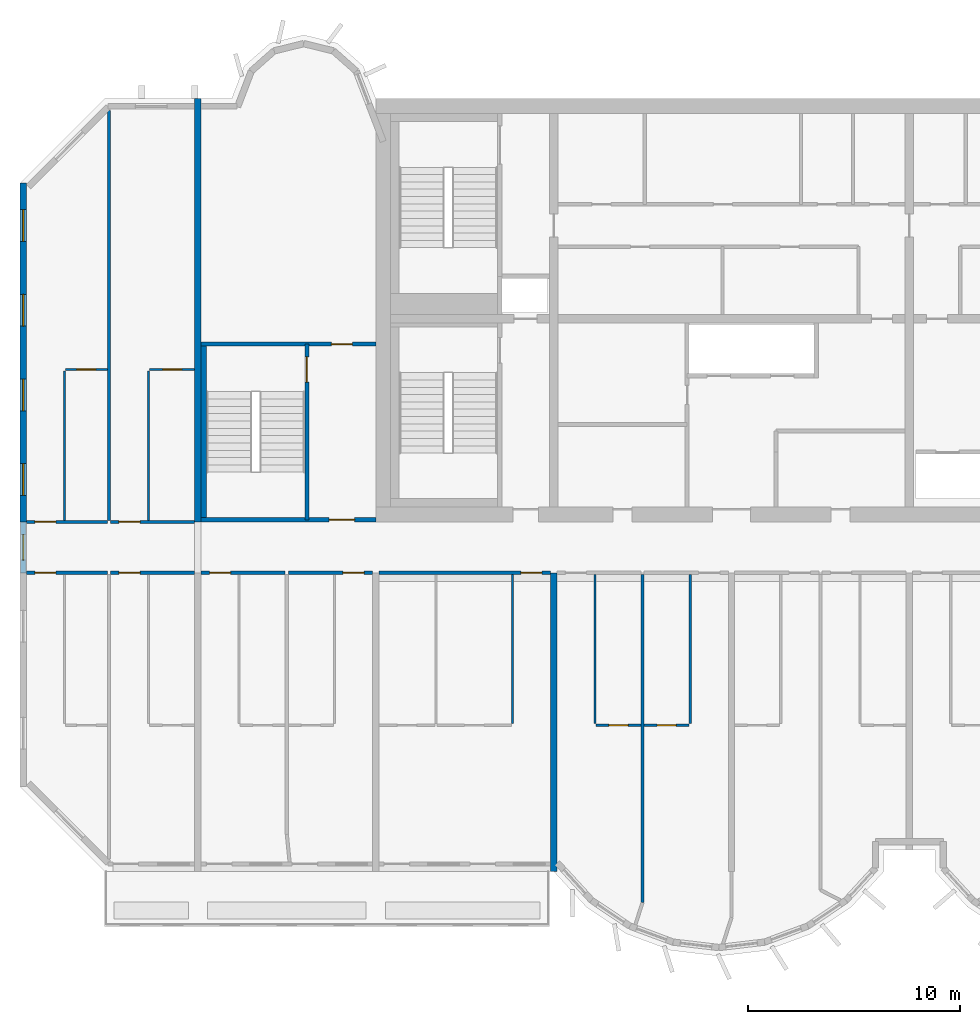
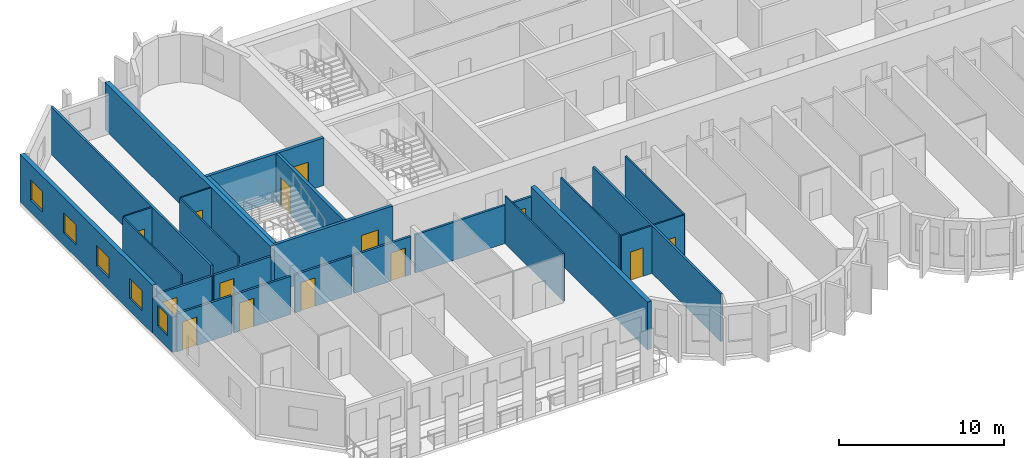
# One storey, part 3 of 13: 26 walls, 14 doors, 5 windows, 19 openings.
"""IFC4 building model written with IfcOpenShell, lengths in metres."""

import ifcopenshell
import ifcopenshell.guid

model = None  # the IFC model being written
_history = None  # IfcOwnerHistory: only IFC2X3 demands one
_inside = {}  # id of a spatial element -> (the spatial element, [elements in it])
_under = {}  # id of a project, library or spatial element -> (it, [spatial elements below it])
_declared = {}  # id of a project -> (the project, [libraries it declares])
_typed = {}  # id of a type object -> (the type object, [elements of that type])
_made_of = {}  # id of a material, layer set ... -> (it, [elements and type objects made of it])


def new_model(schema):
    """Start an empty IFC model of exactly this schema.

    Asked for "IFC4X3", IfcOpenShell would pick the latest addendum, in which some entities
    have other attributes; the version numbers below select the first issue.
    IFC2X3 requires an IfcOwnerHistory on every rooted entity: one is made here for all.
    """
    global model, _history
    if schema == "IFC4X3":
        model = ifcopenshell.file(schema_version=(4, 3, 0, 0))
    else:
        model = ifcopenshell.file(schema=schema)
    _inside.clear()
    _under.clear()
    _declared.clear()
    _typed.clear()
    _made_of.clear()
    _history = None
    if model.schema == "IFC2X3":
        org = make("IfcOrganization", Name="unknown")
        user = make(
            "IfcPersonAndOrganization",
            ThePerson=make("IfcPerson", FamilyName="unknown"),
            TheOrganization=org,
        )
        app = make(
            "IfcApplication",
            ApplicationDeveloper=org,
            Version="unknown",
            ApplicationFullName="unknown",
            ApplicationIdentifier="unknown",
        )
        _history = make(
            "IfcOwnerHistory",
            OwningUser=user,
            OwningApplication=app,
            ChangeAction="ADDED",
            CreationDate=0,
        )
    return model


def make(cls, **values):
    """One entity of the class cls with the attributes given. An attribute that is None is left unset."""
    return model.create_entity(
        cls, **{name: value for name, value in values.items() if value is not None}
    )


def rooted(cls, **values):
    """An entity with a GlobalId (a new one), such as an element, a storey or a relation."""
    return make(cls, GlobalId=ifcopenshell.guid.new(), OwnerHistory=_history, **values)


def si_unit(unit_type, name, prefix=None):
    """IfcSIUnit, for example si_unit("LENGTHUNIT", "METRE", prefix="MILLI")."""
    return make("IfcSIUnit", UnitType=unit_type, Prefix=prefix, Name=name)


def assignment(units):
    """IfcUnitAssignment: the units of a project."""
    return None if units is None else make("IfcUnitAssignment", Units=units)


def point(xyz):
    """IfcCartesianPoint."""
    return None if xyz is None else make("IfcCartesianPoint", Coordinates=xyz)


def direction(xyz):
    """IfcDirection."""
    return None if xyz is None else make("IfcDirection", DirectionRatios=xyz)


def frame(location, z_axis=None, x_axis=None):
    """IfcAxis2Placement3D, a coordinate frame: its origin and axes. An axis left out is left unset."""
    return make(
        "IfcAxis2Placement3D",
        Location=point(location),
        Axis=direction(z_axis),
        RefDirection=direction(x_axis),
    )


def frame_2d(location, x_axis=None):
    """IfcAxis2Placement2D, a coordinate frame in the plane: its origin and x axis."""
    return make(
        "IfcAxis2Placement2D", Location=point(location), RefDirection=direction(x_axis)
    )


def origin():
    """The frame at (0, 0, 0) with its axes left unset."""
    return frame((0.0, 0.0, 0.0))


def place(relative_to, where):
    """IfcLocalPlacement: puts the frame where relative to a parent placement (None: the world)."""
    return make(
        "IfcLocalPlacement", PlacementRelTo=relative_to, RelativePlacement=where
    )


def context(
    kind, dimensions, precision=None, world=None, true_north=None, identifier=None
):
    """IfcGeometricRepresentationContext, for example the 3D "Model" context."""
    return make(
        "IfcGeometricRepresentationContext",
        ContextIdentifier=identifier,
        ContextType=kind,
        CoordinateSpaceDimension=dimensions,
        Precision=precision,
        WorldCoordinateSystem=world,
        TrueNorth=true_north,
    )


def subcontext(parent, identifier, kind, view, scale=None):
    """IfcGeometricRepresentationSubContext, for example "Body" below "Model"."""
    return make(
        "IfcGeometricRepresentationSubContext",
        ContextIdentifier=identifier,
        ContextType=kind,
        ParentContext=parent,
        TargetScale=scale,
        TargetView=view,
    )


def project(units=None, contexts=None):
    """IfcProject with its units and contexts."""
    return rooted(
        "IfcProject",
        Name="project",
        RepresentationContexts=contexts,
        UnitsInContext=assignment(units),
    )


def spatial(cls, under=None, at=None, **own):
    """A site, building, storey or space (cls), placed at a placement, below another one or the project."""
    s = rooted(cls, ObjectPlacement=at, **own)
    if under is not None:
        _under.setdefault(under.id(), (under, []))[1].append(s)
    return s


def profile(cls, at=None, kind="AREA", **sizes):
    """A parametric profile (cls). Its sizes go by their IFC names, for example OverallWidth=200.0."""
    return make(cls, ProfileType=kind, Position=at, **sizes)


def rectangle(**sizes):
    """IfcRectangleProfileDef."""
    return profile("IfcRectangleProfileDef", **sizes)


def extrude(swept, where, along, depth):
    """IfcExtrudedAreaSolid: the profile swept, set in the frame where, extruded along a direction by depth."""
    return make(
        "IfcExtrudedAreaSolid",
        SweptArea=swept,
        Position=where,
        ExtrudedDirection=direction(along),
        Depth=depth,
    )


def shape(context_of_items, identifier, shape_type, items):
    """IfcShapeRepresentation: the items that make up one representation, for example the "Body"."""
    return make(
        "IfcShapeRepresentation",
        ContextOfItems=context_of_items,
        RepresentationIdentifier=identifier,
        RepresentationType=shape_type,
        Items=items,
    )


def source(mapping_origin, context_of_items, identifier, shape_type, items):
    """IfcRepresentationMap: a shape defined once, which mapped items show again and again."""
    return make(
        "IfcRepresentationMap",
        MappingOrigin=mapping_origin,
        MappedRepresentation=shape(context_of_items, identifier, shape_type, items),
    )


def transform(
    local_origin,
    x_axis=None,
    y_axis=None,
    z_axis=None,
    scale=None,
    scale2=None,
    scale3=None,
    uniform=True,
):
    """IfcCartesianTransformationOperator3D, or its non-uniform kind. x_axis, y_axis, z_axis: its Axis1, 2, 3."""
    if uniform:
        return make(
            "IfcCartesianTransformationOperator3D",
            Axis1=direction(x_axis),
            Axis2=direction(y_axis),
            LocalOrigin=point(local_origin),
            Scale=scale,
            Axis3=direction(z_axis),
        )
    return make(
        "IfcCartesianTransformationOperator3DnonUniform",
        Axis1=direction(x_axis),
        Axis2=direction(y_axis),
        LocalOrigin=point(local_origin),
        Scale=scale,
        Axis3=direction(z_axis),
        Scale2=scale2,
        Scale3=scale3,
    )


def mapped(mapping_source, mapping_target):
    """IfcMappedItem: shows the shape of a source again, moved by a transform."""
    return make(
        "IfcMappedItem", MappingSource=mapping_source, MappingTarget=mapping_target
    )


def material(Name=None, Category=None):
    """IfcMaterial."""
    return make("IfcMaterial", Name=Name, Category=Category)


def layer(
    of_material, thickness, ventilated=None, Name=None, Category=None, Priority=None
):
    """IfcMaterialLayer: one layer of a wall or slab, of a material (None: an air gap)."""
    return make(
        "IfcMaterialLayer",
        Material=of_material,
        LayerThickness=thickness,
        IsVentilated=ventilated,
        Name=Name,
        Category=Category,
        Priority=Priority,
    )


def layer_set(layers, Name=None):
    """IfcMaterialLayerSet."""
    return make("IfcMaterialLayerSet", MaterialLayers=layers, LayerSetName=Name)


def made_of(thing, what):
    """Note that an element or type object is made of a material, layer set ...; save() writes the relation."""
    if what is not None:
        _made_of.setdefault(what.id(), (what, []))[1].append(thing)
    return thing


def type_object(cls, material=None, **own):
    """A type object (cls), such as IfcWallType, which elements share."""
    return made_of(rooted(cls, **own), material)


def element(
    cls,
    number,
    at=None,
    inside=None,
    cuts=None,
    type_object=None,
    material=None,
    context=None,
    identifier="Body",
    shape_type=None,
    held_by="IfcProductDefinitionShape",
    body=None,
    shapes=None,
    **own,
):
    """One element of the class cls, such as IfcWall. Its Tag is "e" and its number.

    at: its placement. inside: the storey or other place that contains it. cuts: it is an
    opening in that element (IfcRelVoidsElement). A single representation is given by context,
    identifier, shape_type and body (its items); several are given by shapes. held_by: the class
    of the entity that holds the representations. save() writes the other relations.
    """
    e = rooted(cls, Tag="e%d" % number, ObjectPlacement=at, **own)
    if body is not None:
        shapes = [shape(context, identifier, shape_type, body)]
    if shapes is not None:
        e.Representation = make(held_by, Representations=shapes)
    if inside is not None:
        _inside.setdefault(inside.id(), (inside, []))[1].append(e)
    if cuts is not None:
        rooted(
            "IfcRelVoidsElement", RelatingBuildingElement=cuts, RelatedOpeningElement=e
        )
    if type_object is not None:
        _typed.setdefault(type_object.id(), (type_object, []))[1].append(e)
    return made_of(e, material)


def fill(opening, filler):
    """IfcRelFillsElement: the door or window that sits in an opening."""
    return rooted(
        "IfcRelFillsElement",
        RelatingOpeningElement=opening,
        RelatedBuildingElement=filler,
    )


def aggregate(whole, parts):
    """IfcRelAggregates: a whole, such as a stair, and the parts it consists of."""
    return rooted("IfcRelAggregates", RelatingObject=whole, RelatedObjects=parts)


def save(model, path):
    """Write the relations noted so far, then the file.

    IfcRelAggregates (storeys below a building ...), IfcRelContainedInSpatialStructure (elements
    in a storey), IfcRelDefinesByType, IfcRelAssociatesMaterial and IfcRelDeclares: one each for
    every whole, place, type object, material and project.
    """
    for whole, parts in _under.values():
        aggregate(whole, parts)
    for where, things in _inside.values():
        rooted(
            "IfcRelContainedInSpatialStructure",
            RelatedElements=things,
            RelatingStructure=where,
        )
    for kind, things in _typed.values():
        rooted("IfcRelDefinesByType", RelatedObjects=things, RelatingType=kind)
    for what, things in _made_of.values():
        rooted("IfcRelAssociatesMaterial", RelatedObjects=things, RelatingMaterial=what)
    for by, libraries in _declared.values():
        rooted("IfcRelDeclares", RelatingContext=by, RelatedDefinitions=libraries)
    model.write(path)


model = new_model("IFC4")

# Units and contexts
model_context = context("Model", 3, precision=1e-05, world=origin(), true_north=direction((0.0, 1.0)))
body_context = subcontext(model_context, "Body", "Model", "MODEL_VIEW")
ifc_project = project(units=[si_unit("LENGTHUNIT", "METRE"), si_unit("AREAUNIT", "SQUARE_METRE"), si_unit("VOLUMEUNIT", "CUBIC_METRE"), si_unit("PLANEANGLEUNIT", "RADIAN"), si_unit("MASSUNIT", "GRAM", prefix="KILO")], contexts=[model_context])

# Site, building, storey
site_placement = place(None, origin())
site = spatial("IfcSite", under=ifc_project, at=site_placement, CompositionType="ELEMENT")
building_placement = place(site_placement, origin())
building = spatial("IfcBuilding", under=site, at=building_placement, Name="Vanashikhar Sky Hotel", CompositionType="ELEMENT")
storey_placement = place(building_placement, frame((0.0, 0.0, 182.0)))
storey = spatial("IfcBuildingStorey", under=building, at=storey_placement, Name="L44", CompositionType="ELEMENT", Elevation=182.0)

# Wall, openings, windows
ifc_material_1 = material(Name="Concrete M60", Category="concrete")
ifc_layer_1 = layer(ifc_material_1, 0.300048828125)
ifc_layer_set_1 = layer_set([ifc_layer_1], Name="RC shear wall 300 Concrete M60")
wall_type_1 = type_object("IfcWallType", Name="RC shear wall 300 Concrete M60", PredefinedType="SHEAR", material=ifc_layer_set_1)
shared_shape_1 = source(origin(), body_context, "Body", "SweptSolid", [
    extrude(rectangle(XDim=16.0, YDim=0.300048828125, at=frame_2d((8.0, 0.0))), origin(), (0.0, 0.0, 1.0), 3.52001953125),
])
wall_1_placement = place(storey_placement, frame((8.550048828125, 22.0, 0.0), z_axis=(0.0, 0.0, 1.0), x_axis=(0.0, 1.0, 0.0)))
wall_1 = element("IfcWall", 1, at=wall_1_placement, inside=storey, type_object=wall_type_1, Name="CW-L44-XW02-2", PredefinedType="SHEAR", context=body_context, shape_type="MappedRepresentation", body=[
    mapped(shared_shape_1, transform((0.0, 0.0, 0.0), scale=1.0)),
])
shared_shape_2 = source(origin(), body_context, "Body", "SweptSolid", [
    extrude(rectangle(XDim=1.5, YDim=1.5, at=frame_2d((0.75, 0.75))), frame((0.0, 0.16015625, 0.0), z_axis=(0.0, -1.0, 0.0), x_axis=(1.0, 0.0, 0.0)), (0.0, 0.0, 1.0), 0.320068359375),
])
opening_1_placement = place(wall_1_placement, frame((1.25, 0.0, 0.89990234375)))
opening_1 = element("IfcOpeningElement", 2, at=opening_1_placement, cuts=wall_1, Name="Opening WN-1", PredefinedType="OPENING", context=body_context, shape_type="MappedRepresentation", body=[
    mapped(shared_shape_2, transform((0.0, 0.0, 0.0), scale=1.0)),
])
opening_2_placement = place(wall_1_placement, frame((5.25, 0.0, 0.89990234375)))
opening_2 = element("IfcOpeningElement", 3, at=opening_2_placement, cuts=wall_1, Name="Opening WN-1", PredefinedType="OPENING", context=body_context, shape_type="MappedRepresentation", body=[
    mapped(shared_shape_2, transform((0.0, 0.0, 0.0), scale=1.0)),
])
opening_3_placement = place(wall_1_placement, frame((9.25, 0.0, 0.89990234375)))
opening_3 = element("IfcOpeningElement", 4, at=opening_3_placement, cuts=wall_1, Name="Opening WN-1", PredefinedType="OPENING", context=body_context, shape_type="MappedRepresentation", body=[
    mapped(shared_shape_2, transform((0.0, 0.0, 0.0), scale=1.0)),
])
opening_4_placement = place(wall_1_placement, frame((13.25, 0.0, 0.89990234375)))
opening_4 = element("IfcOpeningElement", 5, at=opening_4_placement, cuts=wall_1, Name="Opening WN-1", PredefinedType="OPENING", context=body_context, shape_type="MappedRepresentation", body=[
    mapped(shared_shape_2, transform((0.0, 0.0, 0.0), scale=1.0)),
])
ifc_material_2 = material(Name="Glass", Category="glass")
window_type_1 = type_object("IfcWindowType", Name="Window 1500 x 1500", PartitioningType="SINGLE_PANEL", PredefinedType="WINDOW", material=ifc_material_2)
shared_shape_3 = source(origin(), body_context, "Body", "SweptSolid", [
    extrude(rectangle(XDim=1.5, YDim=1.5, at=frame_2d((0.75, 0.75))), frame((0.0, 0.030029296875, 0.0), z_axis=(0.0, -1.0, 0.0), x_axis=(1.0, 0.0, 0.0)), (0.0, 0.0, 1.0), 0.06005859375),
])
window_1_placement = place(opening_1_placement, origin())
window_1 = element("IfcWindow", 6, at=window_1_placement, inside=storey, type_object=window_type_1, Name="Window WN-1", OverallHeight=1.5, OverallWidth=1.5, PartitioningType="SINGLE_PANEL", PredefinedType="WINDOW", context=body_context, shape_type="MappedRepresentation", body=[
    mapped(shared_shape_3, transform((0.0, 0.0, 0.0), scale=1.0)),
])
fill(opening_1, window_1)
window_2_placement = place(opening_2_placement, origin())
window_2 = element("IfcWindow", 7, at=window_2_placement, inside=storey, type_object=window_type_1, Name="Window WN-1", OverallHeight=1.5, OverallWidth=1.5, PartitioningType="SINGLE_PANEL", PredefinedType="WINDOW", context=body_context, shape_type="MappedRepresentation", body=[
    mapped(shared_shape_3, transform((0.0, 0.0, 0.0), scale=1.0)),
])
fill(opening_2, window_2)
window_3_placement = place(opening_3_placement, origin())
window_3 = element("IfcWindow", 8, at=window_3_placement, inside=storey, type_object=window_type_1, Name="Window WN-1", OverallHeight=1.5, OverallWidth=1.5, PartitioningType="SINGLE_PANEL", PredefinedType="WINDOW", context=body_context, shape_type="MappedRepresentation", body=[
    mapped(shared_shape_3, transform((0.0, 0.0, 0.0), scale=1.0)),
])
fill(opening_3, window_3)
window_4_placement = place(opening_4_placement, origin())
window_4 = element("IfcWindow", 9, at=window_4_placement, inside=storey, type_object=window_type_1, Name="Window WN-1", OverallHeight=1.5, OverallWidth=1.5, PartitioningType="SINGLE_PANEL", PredefinedType="WINDOW", context=body_context, shape_type="MappedRepresentation", body=[
    mapped(shared_shape_3, transform((0.0, 0.0, 0.0), scale=1.0)),
])
fill(opening_4, window_4)

# Walls
shared_shape_4 = source(origin(), body_context, "Body", "SweptSolid", [
    extrude(rectangle(XDim=14.10009765625, YDim=0.300048828125, at=frame_2d((7.050048828125, 0.0))), origin(), (0.0, 0.0, 1.0), 3.52001953125),
])
wall_2_placement = place(storey_placement, frame((33.60009765625, 5.5, 0.0), z_axis=(0.0, 0.0, 1.0), x_axis=(0.0, 1.0, 0.0)))
element("IfcWall", 10, at=wall_2_placement, inside=storey, type_object=wall_type_1, Name="CW-L44-XW05-1", PredefinedType="SHEAR", context=body_context, shape_type="MappedRepresentation", body=[
    mapped(shared_shape_4, transform((0.0, 0.0, 0.0), scale=1.0)),
])
shared_shape_5 = source(origin(), body_context, "Body", "SweptSolid", [
    extrude(rectangle(XDim=20.0, YDim=0.300048828125, at=frame_2d((10.0, 0.0))), origin(), (0.0, 0.0, 1.0), 3.52001953125),
])
wall_3_placement = place(storey_placement, frame((16.800048828125, 22.0, 0.0), z_axis=(0.0, 0.0, 1.0), x_axis=(0.0, 1.0, 0.0)))
element("IfcWall", 11, at=wall_3_placement, inside=storey, type_object=wall_type_1, Name="CW-L44-XW03-2", PredefinedType="SHEAR", context=body_context, shape_type="MappedRepresentation", body=[
    mapped(shared_shape_5, transform((0.0, 0.0, 0.0), scale=1.0)),
])

# Wall, opening, window
ifc_material_3 = material(Name="Concrete M50", Category="concrete")
ifc_layer_2 = layer(ifc_material_3, 0.25)
ifc_layer_set_2 = layer_set([ifc_layer_2], Name="Rear and end board-marked wall 250")
wall_type_2 = type_object("IfcWallType", Name="Rear and end board-marked wall 250", PredefinedType="SOLIDWALL", material=ifc_layer_set_2)
shared_shape_6 = source(origin(), body_context, "Body", "SweptSolid", [
    extrude(rectangle(XDim=2.39990234375, YDim=0.25, at=frame_2d((1.199951171875, 0.0))), origin(), (0.0, 0.0, 1.0), 2.6201171875),
])
wall_4_placement = place(storey_placement, frame((8.550048828125, 19.60009765625, 0.0), z_axis=(0.0, 0.0, 1.0), x_axis=(0.0, 1.0, 0.0)))
wall_4 = element("IfcWall", 12, at=wall_4_placement, inside=storey, type_object=wall_type_2, Name="End corridor infill wall", PredefinedType="SOLIDWALL", context=body_context, shape_type="MappedRepresentation", body=[
    mapped(shared_shape_6, transform((0.0, 0.0, 0.0), scale=1.0)),
])
shared_shape_7 = source(origin(), body_context, "Body", "SweptSolid", [
    extrude(rectangle(XDim=1.199951171875, YDim=1.5, at=frame_2d((0.60009765625, 0.75))), frame((0.0, 0.135009765625, 0.0), z_axis=(0.0, -1.0, 0.0), x_axis=(1.0, 0.0, 0.0)), (0.0, 0.0, 1.0), 0.27001953125),
])
opening_5_placement = place(wall_4_placement, frame((0.60009765625, 0.0, 0.89990234375)))
opening_5 = element("IfcOpeningElement", 13, at=opening_5_placement, cuts=wall_4, Name="Opening WN-3", PredefinedType="OPENING", context=body_context, shape_type="MappedRepresentation", body=[
    mapped(shared_shape_7, transform((0.0, 0.0, 0.0), scale=1.0)),
])
window_type_2 = type_object("IfcWindowType", Name="Corridor end window 1200 x 1500", PartitioningType="SINGLE_PANEL", PredefinedType="WINDOW", material=ifc_material_2)
shared_shape_8 = source(origin(), body_context, "Body", "SweptSolid", [
    extrude(rectangle(XDim=1.199951171875, YDim=1.5, at=frame_2d((0.60009765625, 0.75))), frame((0.0, 0.030029296875, 0.0), z_axis=(0.0, -1.0, 0.0), x_axis=(1.0, 0.0, 0.0)), (0.0, 0.0, 1.0), 0.06005859375),
])
window_5_placement = place(opening_5_placement, origin())
window_5 = element("IfcWindow", 14, at=window_5_placement, inside=storey, type_object=window_type_2, Name="Window WN-3", OverallHeight=1.5, OverallWidth=1.199951171875, PartitioningType="SINGLE_PANEL", PredefinedType="WINDOW", context=body_context, shape_type="MappedRepresentation", body=[
    mapped(shared_shape_8, transform((0.0, 0.0, 0.0), scale=1.0)),
])
fill(opening_5, window_5)

# Wall, opening, door
ifc_layer_3 = layer(ifc_material_3, 0.199951171875)
ifc_layer_set_3 = layer_set([ifc_layer_3], Name="Stair wall 200")
wall_type_3 = type_object("IfcWallType", Name="Stair wall 200", PredefinedType="SOLIDWALL", material=ifc_layer_set_3)
shared_shape_9 = source(origin(), body_context, "Body", "SweptSolid", [
    extrude(rectangle(XDim=8.2998046875, YDim=0.199951171875, at=frame_2d((4.14990234375, 0.0))), origin(), (0.0, 0.0, 1.0), 3.52001953125),
])
wall_5_placement = place(storey_placement, frame((21.949951171875, 22.10009765625, 0.0), z_axis=(0.0, 0.0, 1.0), x_axis=(0.0, 1.0, 0.0)))
wall_5 = element("IfcWall", 15, at=wall_5_placement, inside=storey, type_object=wall_type_3, Name="Stair wall 200", PredefinedType="SOLIDWALL", context=body_context, shape_type="MappedRepresentation", body=[
    mapped(shared_shape_9, transform((0.0, 0.0, 0.0), scale=1.0)),
])
shared_shape_10 = source(origin(), body_context, "Body", "SweptSolid", [
    extrude(rectangle(XDim=1.199951171875, YDim=2.10009765625, at=frame_2d((0.60009765625, 1.050048828125))), frame((0.0, 0.10986328125, 0.0), z_axis=(0.0, -1.0, 0.0), x_axis=(1.0, 0.0, 0.0)), (0.0, 0.0, 1.0), 0.219970703125),
])
opening_6_placement = place(wall_5_placement, frame((6.5, 0.0, 0.0)))
opening_6 = element("IfcOpeningElement", 16, at=opening_6_placement, cuts=wall_5, Name="Opening DC-1", PredefinedType="OPENING", context=body_context, shape_type="MappedRepresentation", body=[
    mapped(shared_shape_10, transform((0.0, 0.0, 0.0), scale=1.0)),
])
ifc_material_4 = material(Name="Steel", Category="steel")
door_type_1 = type_object("IfcDoorType", Name="Stair door 1200 FD120", OperationType="NOTDEFINED", PredefinedType="DOOR", material=ifc_material_4)
shared_shape_11 = source(origin(), body_context, "Body", "SweptSolid", [
    extrude(rectangle(XDim=1.199951171875, YDim=2.10009765625, at=frame_2d((0.60009765625, 1.050048828125))), frame((0.0, 0.02490234375, 0.0), z_axis=(0.0, -1.0, 0.0), x_axis=(1.0, 0.0, 0.0)), (0.0, 0.0, 1.0), 0.050048828125),
])
door_1_placement = place(opening_6_placement, origin())
door_1 = element("IfcDoor", 17, at=door_1_placement, inside=storey, type_object=door_type_1, Name="Stair door 1200 FD120", OperationType="SINGLE_SWING_RIGHT", OverallHeight=2.10009765625, OverallWidth=1.199951171875, PredefinedType="DOOR", context=body_context, shape_type="MappedRepresentation", body=[
    mapped(shared_shape_11, transform((0.0, 0.0, 0.0), scale=1.0)),
])
fill(opening_6, door_1)

shared_shape_12 = source(origin(), body_context, "Body", "SweptSolid", [
    extrude(rectangle(XDim=8.25, YDim=0.199951171875, at=frame_2d((4.125, 0.0))), origin(), (0.0, 0.0, 1.0), 3.52001953125),
])
wall_6_placement = place(storey_placement, frame((16.949951171875, 22.10009765625, 0.0), z_axis=(0.0, 0.0, 1.0), x_axis=(1.0, 0.0, 0.0)))
wall_6 = element("IfcWall", 18, at=wall_6_placement, inside=storey, type_object=wall_type_3, Name="Stair wall 200", PredefinedType="SOLIDWALL", context=body_context, shape_type="MappedRepresentation", body=[
    mapped(shared_shape_12, transform((0.0, 0.0, 0.0), scale=1.0)),
])
opening_7_placement = place(wall_6_placement, frame((6.050048828125, 0.0, 0.0)))
opening_7 = element("IfcOpeningElement", 19, at=opening_7_placement, cuts=wall_6, Name="Opening DC-2", PredefinedType="OPENING", context=body_context, shape_type="MappedRepresentation", body=[
    mapped(shared_shape_10, transform((0.0, 0.0, 0.0), scale=1.0)),
])
door_type_2 = type_object("IfcDoorType", Name="Firefighting lobby door 1200 FD120", OperationType="NOTDEFINED", PredefinedType="DOOR", material=ifc_material_4)
door_2_placement = place(opening_7_placement, origin())
door_2 = element("IfcDoor", 20, at=door_2_placement, inside=storey, type_object=door_type_2, Name="Firefighting lobby door 1200 FD120", OperationType="SINGLE_SWING_RIGHT", OverallHeight=2.10009765625, OverallWidth=1.199951171875, PredefinedType="DOOR", context=body_context, shape_type="MappedRepresentation", body=[
    mapped(shared_shape_11, transform((0.0, 0.0, 0.0), scale=1.0)),
])
fill(opening_7, door_2)

wall_7_placement = place(storey_placement, frame((16.949951171875, 30.39990234375, 0.0), z_axis=(0.0, 0.0, 1.0), x_axis=(1.0, 0.0, 0.0)))
wall_7 = element("IfcWall", 21, at=wall_7_placement, inside=storey, type_object=wall_type_3, Name="Stair wall 200", PredefinedType="SOLIDWALL", context=body_context, shape_type="MappedRepresentation", body=[
    mapped(shared_shape_12, transform((0.0, 0.0, 0.0), scale=1.0)),
])
shared_shape_13 = source(origin(), body_context, "Body", "SweptSolid", [
    extrude(rectangle(XDim=1.0, YDim=2.10009765625, at=frame_2d((0.5, 1.050048828125))), frame((0.0, 0.10986328125, 0.0), z_axis=(0.0, -1.0, 0.0), x_axis=(1.0, 0.0, 0.0)), (0.0, 0.0, 1.0), 0.219970703125),
])
opening_8_placement = place(wall_7_placement, frame((6.14990234375, 0.0, 0.0)))
opening_8 = element("IfcOpeningElement", 22, at=opening_8_placement, cuts=wall_7, Name="Opening DC-6", PredefinedType="OPENING", context=body_context, shape_type="MappedRepresentation", body=[
    mapped(shared_shape_13, transform((0.0, 0.0, 0.0), scale=1.0)),
])
door_type_3 = type_object("IfcDoorType", Name="Pocket door 1000 FD60", OperationType="NOTDEFINED", PredefinedType="DOOR", material=ifc_material_4)
shared_shape_14 = source(origin(), body_context, "Body", "SweptSolid", [
    extrude(rectangle(XDim=1.0, YDim=2.10009765625, at=frame_2d((0.5, 1.050048828125))), frame((0.0, 0.02490234375, 0.0), z_axis=(0.0, -1.0, 0.0), x_axis=(1.0, 0.0, 0.0)), (0.0, 0.0, 1.0), 0.050048828125),
])
door_3_placement = place(opening_8_placement, origin())
door_3 = element("IfcDoor", 23, at=door_3_placement, inside=storey, type_object=door_type_3, Name="Pocket door 1000 FD60", OperationType="SINGLE_SWING_RIGHT", OverallHeight=2.10009765625, OverallWidth=1.0, PredefinedType="DOOR", context=body_context, shape_type="MappedRepresentation", body=[
    mapped(shared_shape_14, transform((0.0, 0.0, 0.0), scale=1.0)),
])
fill(opening_8, door_3)

# Walls
ifc_layer_4 = layer(ifc_material_3, 0.25)
ifc_layer_set_4 = layer_set([ifc_layer_4], Name="Stair infill wall 250")
wall_type_4 = type_object("IfcWallType", Name="Stair infill wall 250", PredefinedType="SOLIDWALL", material=ifc_layer_set_4)
shared_shape_15 = source(origin(), body_context, "Body", "SweptSolid", [
    extrude(rectangle(XDim=8.10009765625, YDim=0.25, at=frame_2d((4.050048828125, 0.0))), origin(), (0.0, 0.0, 1.0), 3.52001953125),
])
wall_8_placement = place(storey_placement, frame((17.074951171875, 22.199951171875, 0.0), z_axis=(0.0, 0.0, 1.0), x_axis=(0.0, 1.0, 0.0)))
element("IfcWall", 24, at=wall_8_placement, inside=storey, type_object=wall_type_4, Name="Stair infill wall 250", PredefinedType="SOLIDWALL", context=body_context, shape_type="MappedRepresentation", body=[
    mapped(shared_shape_15, transform((0.0, 0.0, 0.0), scale=1.0)),
])
ifc_material_5 = material(Name="Gypsum plasterboard partition")
ifc_layer_5 = layer(ifc_material_5, 0.10009765625)
ifc_layer_set_5 = layer_set([ifc_layer_5], Name="Wet room partition 100")
wall_type_5 = type_object("IfcWallType", Name="Wet room partition 100", PredefinedType="PARTITIONING", material=ifc_layer_set_5)
shared_shape_16 = source(origin(), body_context, "Body", "SweptSolid", [
    extrude(rectangle(XDim=7.0498046875, YDim=0.10009765625, at=frame_2d((3.52490234375, 0.0))), origin(), (0.0, 0.0, 1.0), 3.52001953125),
])
for number, where, z_axis, x_axis, name in (
    (25, (31.64990234375, 12.47509765625, 0.0), (0.0, 0.0, 1.0), (0.0, 1.0, 0.0), "W-L44-PW015"),
    (26, (35.550048828125, 12.47509765625, 0.0), (0.0, 0.0, 1.0), (0.0, 1.0, 0.0), "W-L44-PW020"),
    (27, (40.050048828125, 12.47509765625, 0.0), (0.0, 0.0, 1.0), (0.0, 1.0, 0.0), "W-L44-PW023"),
):
    element("IfcWall", number, at=place(storey_placement, frame(where, z_axis=z_axis, x_axis=x_axis)), inside=storey, type_object=wall_type_5, Name=name, PredefinedType="PARTITIONING", context=body_context, shape_type="MappedRepresentation", body=[
        mapped(shared_shape_16, transform((0.0, 0.0, 0.0), scale=1.0)),
    ])
shared_shape_17 = source(origin(), body_context, "Body", "SweptSolid", [
    extrude(rectangle(XDim=7.050048828125, YDim=0.10009765625, at=frame_2d((3.52490234375, 0.0))), origin(), (0.0, 0.0, 1.0), 3.52001953125),
])
for number, where, z_axis, x_axis, name in (
    (28, (10.5, 22.074951171875, 0.0), (0.0, 0.0, 1.0), (0.0, 1.0, 0.0), "W-L44-PW071"),
    (29, (14.47509765625, 22.074951171875, 0.0), (0.0, 0.0, 1.0), (0.0, 1.0, 0.0), "W-L44-PW074"),
):
    element("IfcWall", number, at=place(storey_placement, frame(where, z_axis=z_axis, x_axis=x_axis)), inside=storey, type_object=wall_type_5, Name=name, PredefinedType="PARTITIONING", context=body_context, shape_type="MappedRepresentation", body=[
        mapped(shared_shape_17, transform((0.0, 0.0, 0.0), scale=1.0)),
    ])
ifc_layer_6 = layer(ifc_material_5, 0.14990234375)
ifc_layer_set_6 = layer_set([ifc_layer_6], Name="Corridor and demising partition 150")
wall_type_6 = type_object("IfcWallType", Name="Corridor and demising partition 150", PredefinedType="PARTITIONING", material=ifc_layer_set_6)
shared_shape_18 = source(origin(), body_context, "Body", "SweptSolid", [
    extrude(rectangle(XDim=19.34716796875, YDim=0.14990234375, at=frame_2d((9.673583984375, 0.0))), origin(), (0.0, 0.0, 1.0), 3.52001953125),
])
wall_9_placement = place(storey_placement, frame((12.60009765625, 22.074951171875, 0.0), z_axis=(0.0, 0.0, 1.0), x_axis=(0.0, 1.0, 0.0)))
element("IfcWall", 30, at=wall_9_placement, inside=storey, type_object=wall_type_6, Name="W-L44-PW077", PredefinedType="PARTITIONING", context=body_context, shape_type="MappedRepresentation", body=[
    mapped(shared_shape_18, transform((0.0, 0.0, 0.0), scale=1.0)),
])
shared_shape_19 = source(origin(), body_context, "Body", "SweptSolid", [
    extrude(rectangle(XDim=15.497802734375, YDim=0.14990234375, at=frame_2d((7.7490234375, 0.0))), origin(), (0.0, 0.0, 1.0), 3.52001953125),
])
wall_10_placement = place(storey_placement, frame((37.800048828125, 4.027099609375, 0.0), z_axis=(0.0, 0.0, 1.0), x_axis=(0.0, 1.0, 0.0)))
element("IfcWall", 31, at=wall_10_placement, inside=storey, type_object=wall_type_6, Name="W-L44-PW026", PredefinedType="PARTITIONING", context=body_context, shape_type="MappedRepresentation", body=[
    mapped(shared_shape_19, transform((0.0, 0.0, 0.0), scale=1.0)),
])

# Wall, opening, door
shared_shape_20 = source(origin(), body_context, "Body", "SweptSolid", [
    extrude(rectangle(XDim=2.125, YDim=0.10009765625, at=frame_2d((1.0625, 0.0))), origin(), (0.0, 0.0, 1.0), 3.52001953125),
])
wall_11_placement = place(storey_placement, frame((35.60009765625, 12.39990234375, 0.0), z_axis=(0.0, 0.0, 1.0), x_axis=(1.0, 0.0, 0.0)))
wall_11 = element("IfcWall", 32, at=wall_11_placement, inside=storey, type_object=wall_type_5, Name="W-L44-PW021", PredefinedType="PARTITIONING", context=body_context, shape_type="MappedRepresentation", body=[
    mapped(shared_shape_20, transform((0.0, 0.0, 0.0), scale=1.0)),
])
shared_shape_21 = source(origin(), body_context, "Body", "SweptSolid", [
    extrude(rectangle(XDim=0.89990234375, YDim=2.10009765625, at=frame_2d((0.449951171875, 1.050048828125))), frame((0.0, 0.06005859375, 0.0), z_axis=(0.0, -1.0, 0.0), x_axis=(1.0, 0.0, 0.0)), (0.0, 0.0, 1.0), 0.1201171875),
])
opening_9_placement = place(wall_11_placement, frame((0.612060546875, 0.0, 0.0)))
opening_9 = element("IfcOpeningElement", 33, at=opening_9_placement, cuts=wall_11, Name="Opening D-02", PredefinedType="OPENING", context=body_context, shape_type="MappedRepresentation", body=[
    mapped(shared_shape_21, transform((0.0, 0.0, 0.0), scale=1.0)),
])
ifc_material_6 = material(Name="Timber door", Category="wood")
door_type_4 = type_object("IfcDoorType", Name="Internal door 900", OperationType="NOTDEFINED", PredefinedType="DOOR", material=ifc_material_6)
shared_shape_22 = source(origin(), body_context, "Body", "SweptSolid", [
    extrude(rectangle(XDim=0.89990234375, YDim=2.10009765625, at=frame_2d((0.449951171875, 1.050048828125))), frame((0.0, 0.02490234375, 0.0), z_axis=(0.0, -1.0, 0.0), x_axis=(1.0, 0.0, 0.0)), (0.0, 0.0, 1.0), 0.050048828125),
])
door_4_placement = place(opening_9_placement, origin())
door_4 = element("IfcDoor", 34, at=door_4_placement, inside=storey, type_object=door_type_4, Name="D-L44-012", OperationType="SINGLE_SWING_LEFT", OverallHeight=2.10009765625, OverallWidth=0.89990234375, PredefinedType="DOOR", context=body_context, shape_type="MappedRepresentation", body=[
    mapped(shared_shape_22, transform((0.0, 0.0, 0.0), scale=1.0)),
])
fill(opening_9, door_4)

wall_12_placement = place(storey_placement, frame((37.875, 12.39990234375, 0.0), z_axis=(0.0, 0.0, 1.0), x_axis=(1.0, 0.0, 0.0)))
wall_12 = element("IfcWall", 35, at=wall_12_placement, inside=storey, type_object=wall_type_5, Name="W-L44-PW024", PredefinedType="PARTITIONING", context=body_context, shape_type="MappedRepresentation", body=[
    mapped(shared_shape_20, transform((0.0, 0.0, 0.0), scale=1.0)),
])
opening_10_placement = place(wall_12_placement, frame((0.612060546875, 0.0, 0.0)))
opening_10 = element("IfcOpeningElement", 36, at=opening_10_placement, cuts=wall_12, Name="Opening D-02", PredefinedType="OPENING", context=body_context, shape_type="MappedRepresentation", body=[
    mapped(shared_shape_21, transform((0.0, 0.0, 0.0), scale=1.0)),
])
door_5_placement = place(opening_10_placement, origin())
door_5 = element("IfcDoor", 37, at=door_5_placement, inside=storey, type_object=door_type_4, Name="D-L44-014", OperationType="SINGLE_SWING_RIGHT", OverallHeight=2.10009765625, OverallWidth=0.89990234375, PredefinedType="DOOR", context=body_context, shape_type="MappedRepresentation", body=[
    mapped(shared_shape_22, transform((0.0, 0.0, 0.0), scale=1.0)),
])
fill(opening_10, door_5)

wall_13_placement = place(storey_placement, frame((14.52490234375, 29.199951171875, 0.0), z_axis=(0.0, 0.0, 1.0), x_axis=(1.0, 0.0, 0.0)))
wall_13 = element("IfcWall", 38, at=wall_13_placement, inside=storey, type_object=wall_type_5, Name="W-L44-PW075", PredefinedType="PARTITIONING", context=body_context, shape_type="MappedRepresentation", body=[
    mapped(shared_shape_20, transform((0.0, 0.0, 0.0), scale=1.0)),
])
opening_11_placement = place(wall_13_placement, frame((0.612060546875, 0.0, 0.0)))
opening_11 = element("IfcOpeningElement", 39, at=opening_11_placement, cuts=wall_13, Name="Opening D-02", PredefinedType="OPENING", context=body_context, shape_type="MappedRepresentation", body=[
    mapped(shared_shape_21, transform((0.0, 0.0, 0.0), scale=1.0)),
])
door_6_placement = place(opening_11_placement, origin())
door_6 = element("IfcDoor", 40, at=door_6_placement, inside=storey, type_object=door_type_4, Name="D-L44-042", OperationType="SINGLE_SWING_LEFT", OverallHeight=2.10009765625, OverallWidth=0.89990234375, PredefinedType="DOOR", context=body_context, shape_type="MappedRepresentation", body=[
    mapped(shared_shape_22, transform((0.0, 0.0, 0.0), scale=1.0)),
])
fill(opening_11, door_6)

shared_shape_23 = source(origin(), body_context, "Body", "SweptSolid", [
    extrude(rectangle(XDim=3.974853515625, YDim=0.14990234375, at=frame_2d((1.9873046875, 0.0))), origin(), (0.0, 0.0, 1.0), 2.820068359375),
])
wall_14_placement = place(storey_placement, frame((12.675048828125, 19.60009765625, 0.0), z_axis=(0.0, 0.0, 1.0), x_axis=(1.0, 0.0, 0.0)))
wall_14 = element("IfcWall", 41, at=wall_14_placement, inside=storey, type_object=wall_type_6, Name="W-L44-PW006", PredefinedType="PARTITIONING", context=body_context, shape_type="MappedRepresentation", body=[
    mapped(shared_shape_23, transform((0.0, 0.0, 0.0), scale=1.0)),
])
shared_shape_24 = source(origin(), body_context, "Body", "SweptSolid", [
    extrude(rectangle(XDim=1.0, YDim=2.10009765625, at=frame_2d((0.5, 1.050048828125))), frame((0.0, 0.0849609375, 0.0), z_axis=(0.0, -1.0, 0.0), x_axis=(1.0, 0.0, 0.0)), (0.0, 0.0, 1.0), 0.169921875),
])
opening_12_placement = place(wall_14_placement, frame((0.39990234375, 0.0, 0.0)))
opening_12 = element("IfcOpeningElement", 42, at=opening_12_placement, cuts=wall_14, Name="Opening D-01", PredefinedType="OPENING", context=body_context, shape_type="MappedRepresentation", body=[
    mapped(shared_shape_24, transform((0.0, 0.0, 0.0), scale=1.0)),
])
ifc_material_7 = material(Name="Timber fire door", Category="wood")
door_type_5 = type_object("IfcDoorType", Name="Guest entry door 1000 FD30S", OperationType="NOTDEFINED", PredefinedType="DOOR", material=ifc_material_7)
door_7_placement = place(opening_12_placement, origin())
door_7 = element("IfcDoor", 43, at=door_7_placement, inside=storey, type_object=door_type_5, Name="D-L44-004", OperationType="SINGLE_SWING_LEFT", OverallHeight=2.10009765625, OverallWidth=1.0, PredefinedType="DOOR", context=body_context, shape_type="MappedRepresentation", body=[
    mapped(shared_shape_14, transform((0.0, 0.0, 0.0), scale=1.0)),
])
fill(opening_12, door_7)

wall_15_placement = place(storey_placement, frame((12.675048828125, 22.0, 0.0), z_axis=(0.0, 0.0, 1.0), x_axis=(1.0, 0.0, 0.0)))
wall_15 = element("IfcWall", 44, at=wall_15_placement, inside=storey, type_object=wall_type_6, Name="W-L44-PW076", PredefinedType="PARTITIONING", context=body_context, shape_type="MappedRepresentation", body=[
    mapped(shared_shape_23, transform((0.0, 0.0, 0.0), scale=1.0)),
])
opening_13_placement = place(wall_15_placement, frame((0.39990234375, 0.0, 0.0)))
opening_13 = element("IfcOpeningElement", 45, at=opening_13_placement, cuts=wall_15, Name="Opening D-01", PredefinedType="OPENING", context=body_context, shape_type="MappedRepresentation", body=[
    mapped(shared_shape_24, transform((0.0, 0.0, 0.0), scale=1.0)),
])
door_8_placement = place(opening_13_placement, origin())
door_8 = element("IfcDoor", 46, at=door_8_placement, inside=storey, type_object=door_type_5, Name="D-L44-043", OperationType="SINGLE_SWING_LEFT", OverallHeight=2.10009765625, OverallWidth=1.0, PredefinedType="DOOR", context=body_context, shape_type="MappedRepresentation", body=[
    mapped(shared_shape_14, transform((0.0, 0.0, 0.0), scale=1.0)),
])
fill(opening_13, door_8)

shared_shape_25 = source(origin(), body_context, "Body", "SweptSolid", [
    extrude(rectangle(XDim=3.97509765625, YDim=0.14990234375, at=frame_2d((1.987548828125, 0.0))), origin(), (0.0, 0.0, 1.0), 2.820068359375),
])
wall_16_placement = place(storey_placement, frame((16.949951171875, 19.60009765625, 0.0), z_axis=(0.0, 0.0, 1.0), x_axis=(1.0, 0.0, 0.0)))
wall_16 = element("IfcWall", 47, at=wall_16_placement, inside=storey, type_object=wall_type_6, Name="W-L44-PW010", PredefinedType="PARTITIONING", context=body_context, shape_type="MappedRepresentation", body=[
    mapped(shared_shape_25, transform((0.0, 0.0, 0.0), scale=1.0)),
])
opening_14_placement = place(wall_16_placement, frame((0.39990234375, 0.0, 0.0)))
opening_14 = element("IfcOpeningElement", 48, at=opening_14_placement, cuts=wall_16, Name="Opening D-01", PredefinedType="OPENING", context=body_context, shape_type="MappedRepresentation", body=[
    mapped(shared_shape_24, transform((0.0, 0.0, 0.0), scale=1.0)),
])
door_9_placement = place(opening_14_placement, origin())
door_9 = element("IfcDoor", 49, at=door_9_placement, inside=storey, type_object=door_type_5, Name="D-L44-006", OperationType="SINGLE_SWING_LEFT", OverallHeight=2.10009765625, OverallWidth=1.0, PredefinedType="DOOR", context=body_context, shape_type="MappedRepresentation", body=[
    mapped(shared_shape_14, transform((0.0, 0.0, 0.0), scale=1.0)),
])
fill(opening_14, door_9)

wall_17_placement = place(storey_placement, frame((21.074951171875, 19.60009765625, 0.0), z_axis=(0.0, 0.0, 1.0), x_axis=(1.0, 0.0, 0.0)))
wall_17 = element("IfcWall", 50, at=wall_17_placement, inside=storey, type_object=wall_type_6, Name="W-L44-PW013", PredefinedType="PARTITIONING", context=body_context, shape_type="MappedRepresentation", body=[
    mapped(shared_shape_25, transform((0.0, 0.0, 0.0), scale=1.0)),
])
opening_15_placement = place(wall_17_placement, frame((2.574951171875, 0.0, 0.0)))
opening_15 = element("IfcOpeningElement", 51, at=opening_15_placement, cuts=wall_17, Name="Opening D-01", PredefinedType="OPENING", context=body_context, shape_type="MappedRepresentation", body=[
    mapped(shared_shape_24, transform((0.0, 0.0, 0.0), scale=1.0)),
])
door_10_placement = place(opening_15_placement, origin())
door_10 = element("IfcDoor", 52, at=door_10_placement, inside=storey, type_object=door_type_5, Name="D-L44-008", OperationType="SINGLE_SWING_RIGHT", OverallHeight=2.10009765625, OverallWidth=1.0, PredefinedType="DOOR", context=body_context, shape_type="MappedRepresentation", body=[
    mapped(shared_shape_14, transform((0.0, 0.0, 0.0), scale=1.0)),
])
fill(opening_15, door_10)

shared_shape_26 = source(origin(), body_context, "Body", "SweptSolid", [
    extrude(rectangle(XDim=8.099853515625, YDim=0.14990234375, at=frame_2d((4.0498046875, 0.0))), origin(), (0.0, 0.0, 1.0), 2.820068359375),
])
wall_18_placement = place(storey_placement, frame((25.35009765625, 19.60009765625, 0.0), z_axis=(0.0, 0.0, 1.0), x_axis=(1.0, 0.0, 0.0)))
wall_18 = element("IfcWall", 53, at=wall_18_placement, inside=storey, type_object=wall_type_6, Name="W-L44-PW019", PredefinedType="PARTITIONING", context=body_context, shape_type="MappedRepresentation", body=[
    mapped(shared_shape_26, transform((0.0, 0.0, 0.0), scale=1.0)),
])
opening_16_placement = place(wall_18_placement, frame((6.699951171875, 0.0, 0.0)))
opening_16 = element("IfcOpeningElement", 54, at=opening_16_placement, cuts=wall_18, Name="Opening D-01", PredefinedType="OPENING", context=body_context, shape_type="MappedRepresentation", body=[
    mapped(shared_shape_24, transform((0.0, 0.0, 0.0), scale=1.0)),
])
door_11_placement = place(opening_16_placement, origin())
door_11 = element("IfcDoor", 55, at=door_11_placement, inside=storey, type_object=door_type_5, Name="D-L44-011", OperationType="SINGLE_SWING_RIGHT", OverallHeight=2.10009765625, OverallWidth=1.0, PredefinedType="DOOR", context=body_context, shape_type="MappedRepresentation", body=[
    mapped(shared_shape_14, transform((0.0, 0.0, 0.0), scale=1.0)),
])
fill(opening_16, door_11)

shared_shape_27 = source(origin(), body_context, "Body", "SweptSolid", [
    extrude(rectangle(XDim=1.974853515625, YDim=0.10009765625, at=frame_2d((0.9873046875, 0.0))), origin(), (0.0, 0.0, 1.0), 3.52001953125),
])
wall_19_placement = place(storey_placement, frame((10.550048828125, 29.199951171875, 0.0), z_axis=(0.0, 0.0, 1.0), x_axis=(1.0, 0.0, 0.0)))
wall_19 = element("IfcWall", 56, at=wall_19_placement, inside=storey, type_object=wall_type_5, Name="W-L44-PW072", PredefinedType="PARTITIONING", context=body_context, shape_type="MappedRepresentation", body=[
    mapped(shared_shape_27, transform((0.0, 0.0, 0.0), scale=1.0)),
])
opening_17_placement = place(wall_19_placement, frame((0.5380859375, 0.0, 0.0)))
opening_17 = element("IfcOpeningElement", 57, at=opening_17_placement, cuts=wall_19, Name="Opening D-02", PredefinedType="OPENING", context=body_context, shape_type="MappedRepresentation", body=[
    mapped(shared_shape_21, transform((0.0, 0.0, 0.0), scale=1.0)),
])
door_12_placement = place(opening_17_placement, origin())
door_12 = element("IfcDoor", 58, at=door_12_placement, inside=storey, type_object=door_type_4, Name="D-L44-040", OperationType="SINGLE_SWING_LEFT", OverallHeight=2.10009765625, OverallWidth=0.89990234375, PredefinedType="DOOR", context=body_context, shape_type="MappedRepresentation", body=[
    mapped(shared_shape_22, transform((0.0, 0.0, 0.0), scale=1.0)),
])
fill(opening_17, door_12)

shared_shape_28 = source(origin(), body_context, "Body", "SweptSolid", [
    extrude(rectangle(XDim=3.824951171875, YDim=0.14990234375, at=frame_2d((1.91259765625, 0.0))), origin(), (0.0, 0.0, 1.0), 2.820068359375),
])
wall_20_placement = place(storey_placement, frame((8.699951171875, 19.60009765625, 0.0), z_axis=(0.0, 0.0, 1.0), x_axis=(1.0, 0.0, 0.0)))
wall_20 = element("IfcWall", 59, at=wall_20_placement, inside=storey, type_object=wall_type_6, Name="W-L44-PW003", PredefinedType="PARTITIONING", context=body_context, shape_type="MappedRepresentation", body=[
    mapped(shared_shape_28, transform((0.0, 0.0, 0.0), scale=1.0)),
])
opening_18_placement = place(wall_20_placement, frame((0.39990234375, 0.0, 0.0)))
opening_18 = element("IfcOpeningElement", 60, at=opening_18_placement, cuts=wall_20, Name="Opening D-01", PredefinedType="OPENING", context=body_context, shape_type="MappedRepresentation", body=[
    mapped(shared_shape_24, transform((0.0, 0.0, 0.0), scale=1.0)),
])
door_13_placement = place(opening_18_placement, origin())
door_13 = element("IfcDoor", 61, at=door_13_placement, inside=storey, type_object=door_type_5, Name="D-L44-002", OperationType="SINGLE_SWING_LEFT", OverallHeight=2.10009765625, OverallWidth=1.0, PredefinedType="DOOR", context=body_context, shape_type="MappedRepresentation", body=[
    mapped(shared_shape_14, transform((0.0, 0.0, 0.0), scale=1.0)),
])
fill(opening_18, door_13)

wall_21_placement = place(storey_placement, frame((8.699951171875, 22.0, 0.0), z_axis=(0.0, 0.0, 1.0), x_axis=(1.0, 0.0, 0.0)))
wall_21 = element("IfcWall", 62, at=wall_21_placement, inside=storey, type_object=wall_type_6, Name="W-L44-PW073", PredefinedType="PARTITIONING", context=body_context, shape_type="MappedRepresentation", body=[
    mapped(shared_shape_28, transform((0.0, 0.0, 0.0), scale=1.0)),
])
opening_19_placement = place(wall_21_placement, frame((0.39990234375, 0.0, 0.0)))
opening_19 = element("IfcOpeningElement", 63, at=opening_19_placement, cuts=wall_21, Name="Opening D-01", PredefinedType="OPENING", context=body_context, shape_type="MappedRepresentation", body=[
    mapped(shared_shape_24, transform((0.0, 0.0, 0.0), scale=1.0)),
])
door_14_placement = place(opening_19_placement, origin())
door_14 = element("IfcDoor", 64, at=door_14_placement, inside=storey, type_object=door_type_5, Name="D-L44-041", OperationType="SINGLE_SWING_LEFT", OverallHeight=2.10009765625, OverallWidth=1.0, PredefinedType="DOOR", context=body_context, shape_type="MappedRepresentation", body=[
    mapped(shared_shape_14, transform((0.0, 0.0, 0.0), scale=1.0)),
])
fill(opening_19, door_14)

save(model, "model.ifc")
